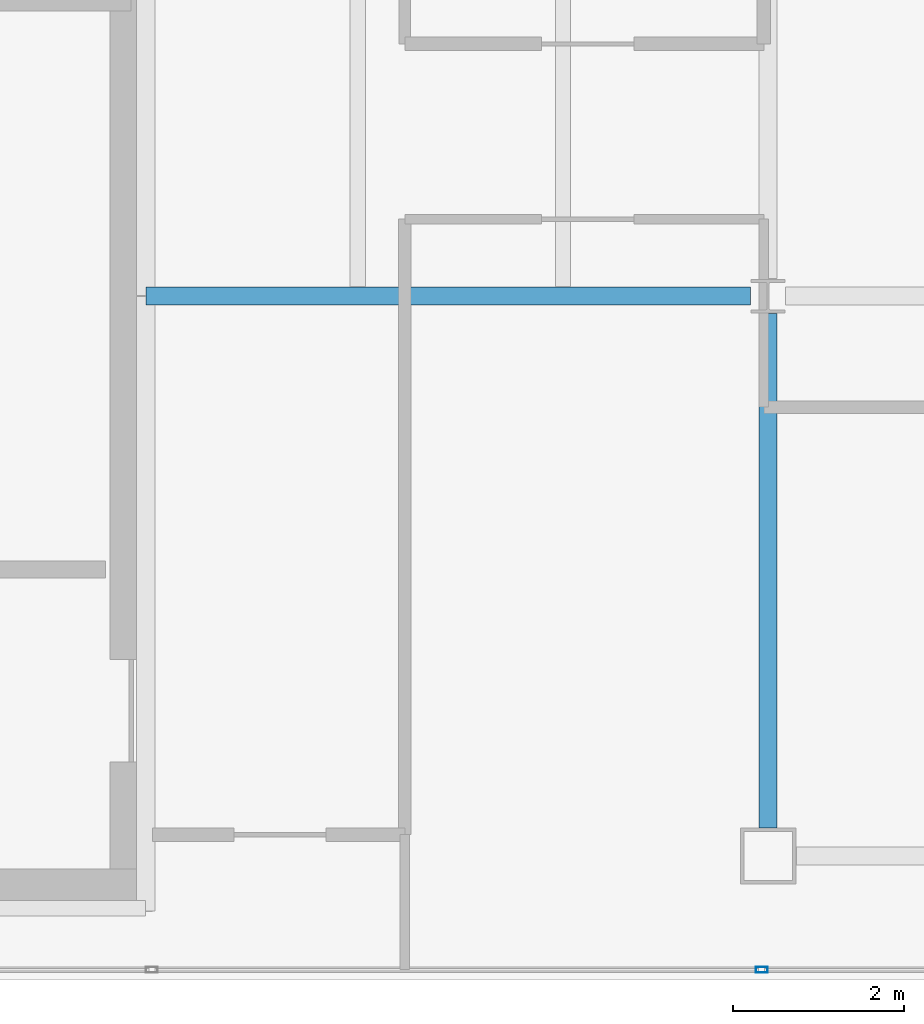
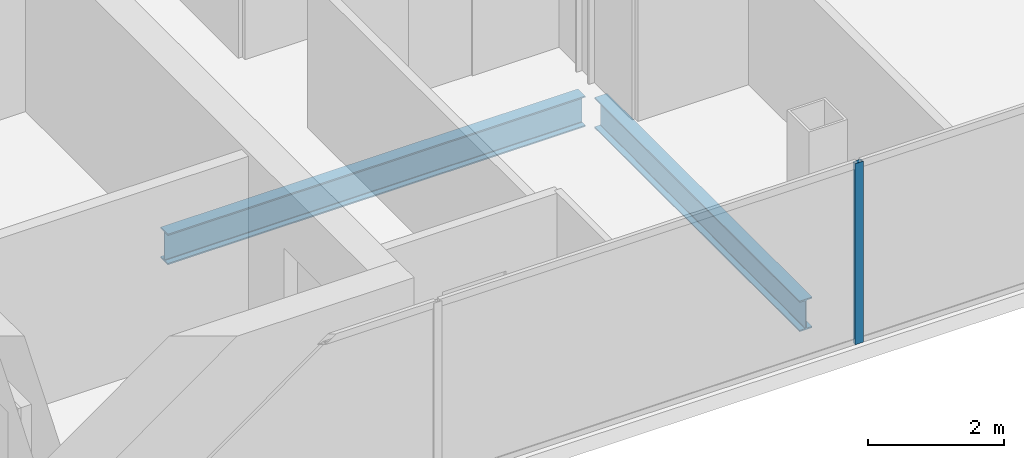
# One storey, part 5 of 23: 2 beams, 1 member, 1 element without a shape of its own.
"""IFC4 building model written with IfcOpenShell, lengths in metres."""

from ifc_helpers import new_model, si_unit, direction, frame, origin, origin_2d, place, context, subcontext, project, spatial, hollow_rectangle, i_section, extrude, material, material_profile, profile_set, type_object, element, aggregate, save


model = new_model("IFC4")

# Units and contexts
model_context = context("Model", 3, precision=1e-05, world=origin(), true_north=direction((0.0, 1.0)))
body_context = subcontext(model_context, "Body", "Model", "MODEL_VIEW")
ifc_project = project(units=[si_unit("LENGTHUNIT", "METRE"), si_unit("AREAUNIT", "SQUARE_METRE"), si_unit("VOLUMEUNIT", "CUBIC_METRE"), si_unit("PLANEANGLEUNIT", "RADIAN"), si_unit("MASSUNIT", "GRAM", prefix="KILO")], contexts=[model_context])

# Site, building, storey
site_placement = place(None, origin())
site = spatial("IfcSite", under=ifc_project, at=site_placement, CompositionType="ELEMENT")
building_placement = place(site_placement, origin())
building = spatial("IfcBuilding", under=site, at=building_placement, Name="Cobrela Telecom Tower", CompositionType="ELEMENT")
storey_placement = place(building_placement, frame((0.0, 0.0, 251.64990234375)))
storey = spatial("IfcBuildingStorey", under=building, at=storey_placement, Name="L65", CompositionType="ELEMENT", Elevation=251.64990234375)

# Beams
ifc_material_1 = material(Name="Steel ASTM A992 Grade 50", Category="steel")
ifc_material_profile_1 = material_profile(ifc_material_1, i_section(OverallWidth=0.212890625, OverallDepth=0.549072265625, WebThickness=0.0146484375, FlangeThickness=0.023681640625, FilletRadius=0.013916015625, at=origin_2d()), Name="W21X93")
ifc_profile_set_1 = profile_set([ifc_material_profile_1], Name="Steel ASTM A992 Grade 50")
beam_type = type_object("IfcBeamType", Name="BM-GIRD-08", PredefinedType="USERDEFINED", material=ifc_profile_set_1)
beam_1_placement = place(storey_placement, frame((14.324951171875, 14.39990234375, -0.534423828125), z_axis=(1.0, 0.0, 0.0), x_axis=(0.0, 1.0, 0.0)))
element("IfcBeam", 1, at=beam_1_placement, inside=storey, type_object=beam_type, Name="L65 Primary Girder X05", ObjectType="GIRDER", PredefinedType="USERDEFINED", context=body_context, shape_type="SweptSolid", body=[
    extrude(i_section(OverallWidth=0.212890625, OverallDepth=0.549072265625, WebThickness=0.0146484375, FlangeThickness=0.023681640625, FilletRadius=0.013916015625, at=origin_2d()), origin(), (0.0, 0.0, 1.0), 7.070556640625),
])
beam_2_placement = place(storey_placement, frame((21.60009765625, 8.179931640625, -0.534423828125), z_axis=(0.0, 1.0, 0.0), x_axis=(-1.0, 0.0, 0.0)))
element("IfcBeam", 2, at=beam_2_placement, inside=storey, type_object=beam_type, Name="L65 Primary Girder Y27", ObjectType="GIRDER", PredefinedType="USERDEFINED", context=body_context, shape_type="SweptSolid", body=[
    extrude(i_section(OverallWidth=0.212890625, OverallDepth=0.549072265625, WebThickness=0.0146484375, FlangeThickness=0.023681640625, FilletRadius=0.013916015625, at=origin_2d()), origin(), (0.0, 0.0, 1.0), 6.015625),
])

# Curtain wall, member
ifc_material_2 = material(Name="Anodized Bronze Aluminium 6063-T6", Category="aluminium")
curtain_wall_type = type_object("IfcCurtainWallType", Name="CW-SYS-OFF-HI", PredefinedType="USERDEFINED", material=ifc_material_2)
curtain_wall_placement = place(storey_placement, origin())
curtain_wall = element("IfcCurtainWall", 3, at=curtain_wall_placement, inside=storey, type_object=curtain_wall_type, Name="L65 Unitised Bronze Curtain Wall 15", ObjectType="UNITISED CURTAIN WALL", PredefinedType="USERDEFINED")
ifc_material_profile_2 = material_profile(ifc_material_2, hollow_rectangle(XDim=0.070068359375, YDim=0.139892578125, WallThickness=0.00390625, at=origin_2d()), Name="ALU 70x140x4")
ifc_profile_set_2 = profile_set([ifc_material_profile_2], Name="Anodized Bronze Aluminium 6063-T6")
member_type = type_object("IfcMemberType", Name="CW-SYS-OFF-HI-MUL", PredefinedType="MULLION", material=ifc_profile_set_2)
member_placement = place(storey_placement, frame((21.52490234375, 6.52001953125, 0.0), z_axis=(0.0, 0.0, 1.0), x_axis=(0.0, -1.0, 0.0)))
member = element("IfcMember", 4, at=member_placement, type_object=member_type, Name="CW-OFF-HI mullion 4", PredefinedType="MULLION", context=body_context, shape_type="SweptSolid", body=[
    extrude(hollow_rectangle(XDim=0.070068359375, YDim=0.139892578125, WallThickness=0.00390625, at=origin_2d()), origin(), (0.0, 0.0, 1.0), 3.239990234375),
])
aggregate(curtain_wall, [member])

save(model, "model.ifc")
